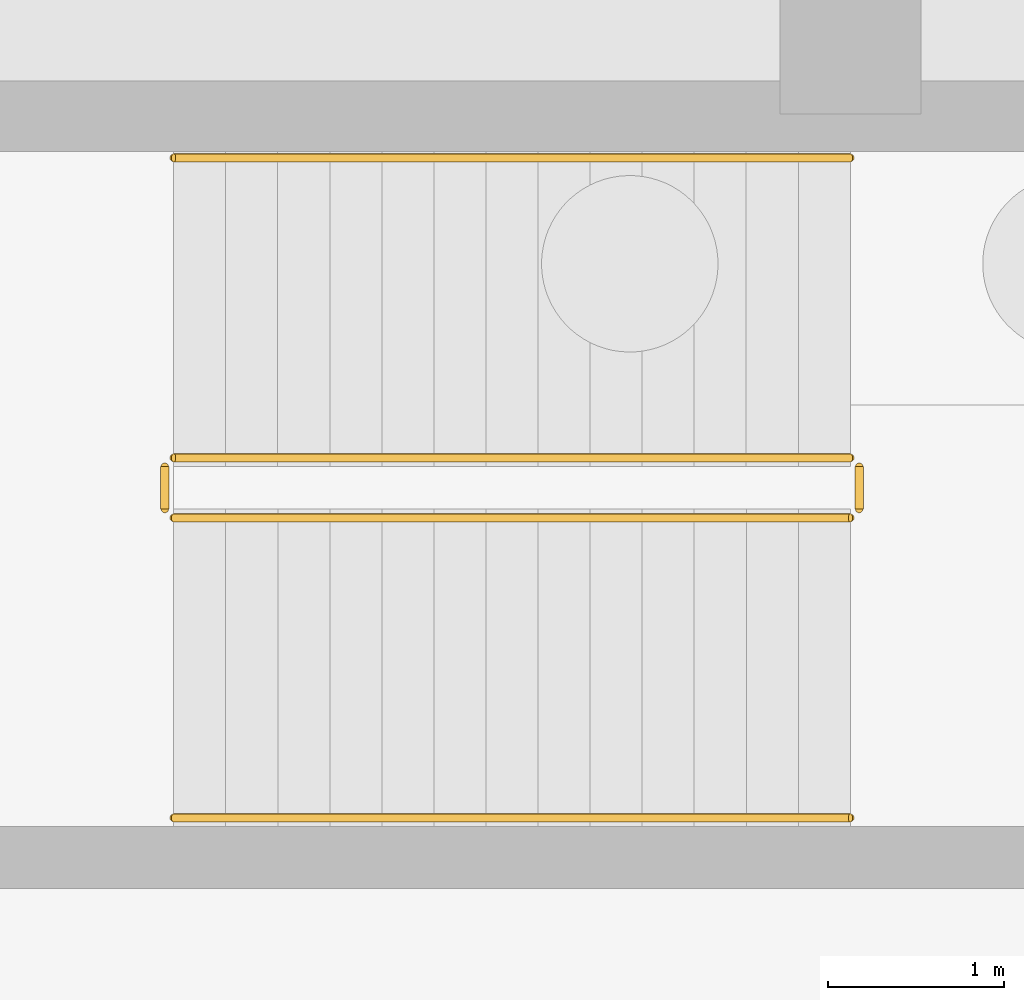
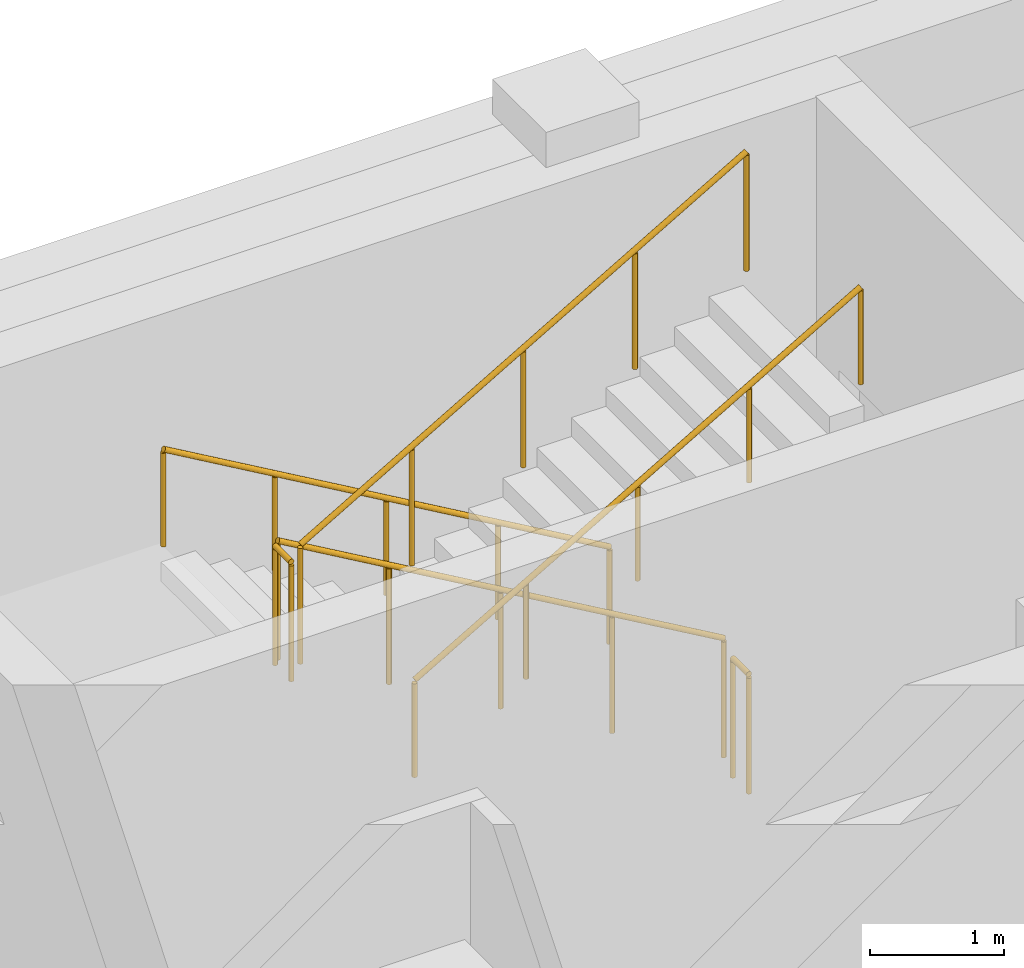
# One storey, part 30 of 35: 6 railings.
"""IFC4 building model written with IfcOpenShell, lengths in metres."""

from ifc_helpers import new_model, si_unit, direction, frame, origin, origin_2d, place, context, subcontext, project, spatial, circle, extrude, material, type_object, element, save


model = new_model("IFC4")

# Units and contexts
model_context = context("Model", 3, precision=1e-05, world=origin(), true_north=direction((0.0, 1.0)))
body_context = subcontext(model_context, "Body", "Model", "MODEL_VIEW")
ifc_project = project(units=[si_unit("LENGTHUNIT", "METRE"), si_unit("AREAUNIT", "SQUARE_METRE"), si_unit("VOLUMEUNIT", "CUBIC_METRE"), si_unit("PLANEANGLEUNIT", "RADIAN"), si_unit("MASSUNIT", "GRAM", prefix="KILO")], contexts=[model_context])

# Site, building, storey
site_placement = place(None, origin())
site = spatial("IfcSite", under=ifc_project, at=site_placement, CompositionType="ELEMENT")
building_placement = place(site_placement, origin())
building = spatial("IfcBuilding", under=site, at=building_placement, Name="Zayran Congress Hotel", CompositionType="ELEMENT")
storey_placement = place(building_placement, frame((0.0, 0.0, -4.800048828125)))
storey = spatial("IfcBuildingStorey", under=building, at=storey_placement, Name="B1", CompositionType="ELEMENT", Elevation=-4.800048828125)

# Railings
ifc_material_1 = material(Name="Painted steel balustrade", Category="steel")
railing_type_1 = type_object("IfcRailingType", Name="TP-GRD-INT", PredefinedType="GUARDRAIL", material=ifc_material_1)
railing_1_placement = place(storey_placement, frame((16.800048828125, 115.050048828125, 0.17138671875)))
element("IfcRailing", 1, at=railing_1_placement, inside=storey, type_object=railing_type_1, Name="B1 ST-03 stair guard 1", PredefinedType="GUARDRAIL", context=body_context, shape_type="SweptSolid", body=[
    extrude(circle(Radius=0.02392578125, at=origin_2d()), frame((0.0, 0.0, 1.076171875), z_axis=(-0.864592272851, 0.0, 0.502474080651), x_axis=(0.0, -1.0, 0.0)), (0.0, 0.0, 1.0), 4.435546875),
    extrude(circle(Radius=0.02099609375, at=origin_2d()), origin(), (0.0, 0.0, 1.0), 1.052001953125),
    extrude(circle(Radius=0.02099609375, at=origin_2d()), frame((-0.958740234375, 0.0, 0.55712890625)), (0.0, 0.0, 1.0), 1.052001953125),
    extrude(circle(Radius=0.02099609375, at=origin_2d()), frame((-1.91748046875, 0.0, 1.1142578125)), (0.0, 0.0, 1.0), 1.052001953125),
    extrude(circle(Radius=0.02099609375, at=origin_2d()), frame((-2.876220703125, 0.0, 1.671630859375)), (0.0, 0.0, 1.0), 1.052001953125),
    extrude(circle(Radius=0.02099609375, at=origin_2d()), frame((-3.8349609375, 0.0, 2.228759765625)), (0.0, 0.0, 1.0), 1.052001953125),
])
railing_2_placement = place(storey_placement, frame((12.9150390625, 115.0, 2.400146484375)))
element("IfcRailing", 2, at=railing_2_placement, inside=storey, type_object=railing_type_1, Name="B1 ST-03 stair guard 2", PredefinedType="GUARDRAIL", context=body_context, shape_type="SweptSolid", body=[
    extrude(circle(Radius=0.02392578125, at=origin_2d()), frame((0.0, 0.0, 1.076171875), z_axis=(0.0, -1.0, 0.0), x_axis=(1.0, 0.0, 0.0)), (0.0, 0.0, 1.0), 0.239990234375),
    extrude(circle(Radius=0.02099609375, at=origin_2d()), origin(), (0.0, 0.0, 1.0), 1.052001953125),
    extrude(circle(Radius=0.02099609375, at=origin_2d()), frame((0.0, -0.239990234375, 0.0)), (0.0, 0.0, 1.0), 1.052001953125),
])
railing_3_placement = place(storey_placement, frame((12.965087890625, 114.7099609375, 2.571533203125)))
element("IfcRailing", 3, at=railing_3_placement, inside=storey, type_object=railing_type_1, Name="B1 ST-03 stair guard 3", PredefinedType="GUARDRAIL", context=body_context, shape_type="SweptSolid", body=[
    extrude(circle(Radius=0.02392578125, at=origin_2d()), frame((0.0, 0.0, 1.076171875), z_axis=(0.86461618451, 0.0, 0.502432934314), x_axis=(0.0, 1.0, 0.0)), (0.0, 0.0, 1.0), 4.435546875),
    extrude(circle(Radius=0.02099609375, at=origin_2d()), origin(), (0.0, 0.0, 1.0), 1.052001953125),
    extrude(circle(Radius=0.02099609375, at=origin_2d()), frame((0.958740234375, 0.0, 0.55712890625)), (0.0, 0.0, 1.0), 1.052001953125),
    extrude(circle(Radius=0.02099609375, at=origin_2d()), frame((1.91748046875, 0.0, 1.1142578125)), (0.0, 0.0, 1.0), 1.052001953125),
    extrude(circle(Radius=0.02099609375, at=origin_2d()), frame((2.876220703125, 0.0, 1.67138671875)), (0.0, 0.0, 1.0), 1.052001953125),
    extrude(circle(Radius=0.02099609375, at=origin_2d()), frame((3.8349609375, 0.0, 2.228515625)), (0.0, 0.0, 1.0), 1.052001953125),
])
railing_4_placement = place(storey_placement, frame((16.85009765625, 115.0, 0.0)))
element("IfcRailing", 4, at=railing_4_placement, inside=storey, type_object=railing_type_1, Name="B1 ST-03 stair guard 4", PredefinedType="GUARDRAIL", context=body_context, shape_type="SweptSolid", body=[
    extrude(circle(Radius=0.02392578125, at=origin_2d()), frame((0.0, 0.0, 1.076171875), z_axis=(0.0, -1.0, 0.0), x_axis=(1.0, 0.0, 0.0)), (0.0, 0.0, 1.0), 0.239990234375),
    extrude(circle(Radius=0.02099609375, at=origin_2d()), origin(), (0.0, 0.0, 1.0), 1.052001953125),
    extrude(circle(Radius=0.02099609375, at=origin_2d()), frame((0.0, -0.239990234375, 0.0)), (0.0, 0.0, 1.0), 1.052001953125),
])
ifc_material_2 = material(Name="Brushed stainless steel handrail", Category="steel")
railing_type_2 = type_object("IfcRailingType", Name="TP-HND-STR", PredefinedType="HANDRAIL", material=ifc_material_2)
railing_5_placement = place(storey_placement, frame((16.800048828125, 116.75, 0.17138671875)))
element("IfcRailing", 5, at=railing_5_placement, inside=storey, type_object=railing_type_2, Name="B1 ST-03 stair handrail 1", PredefinedType="HANDRAIL", context=body_context, shape_type="SweptSolid", body=[
    extrude(circle(Radius=0.02392578125, at=origin_2d()), frame((0.0, 0.0, 0.8759765625), z_axis=(-0.864592272851, 0.0, 0.502474080651), x_axis=(0.0, -1.0, 0.0)), (0.0, 0.0, 1.0), 4.435546875),
    extrude(circle(Radius=0.02099609375, at=origin_2d()), origin(), (0.0, 0.0, 1.0), 0.851806640625),
    extrude(circle(Radius=0.02099609375, at=origin_2d()), frame((-0.958740234375, 0.0, 0.55712890625)), (0.0, 0.0, 1.0), 0.851806640625),
    extrude(circle(Radius=0.02099609375, at=origin_2d()), frame((-1.91748046875, 0.0, 1.1142578125)), (0.0, 0.0, 1.0), 0.851806640625),
    extrude(circle(Radius=0.02099609375, at=origin_2d()), frame((-2.876220703125, 0.0, 1.671630859375)), (0.0, 0.0, 1.0), 0.851806640625),
    extrude(circle(Radius=0.02099609375, at=origin_2d()), frame((-3.8349609375, 0.0, 2.228759765625)), (0.0, 0.0, 1.0), 0.851806640625),
])
railing_6_placement = place(storey_placement, frame((12.965087890625, 113.010009765625, 2.571533203125)))
element("IfcRailing", 6, at=railing_6_placement, inside=storey, type_object=railing_type_2, Name="B1 ST-03 stair handrail 2", PredefinedType="HANDRAIL", context=body_context, shape_type="SweptSolid", body=[
    extrude(circle(Radius=0.02392578125, at=origin_2d()), frame((0.0, 0.0, 0.8759765625), z_axis=(0.86461618451, 0.0, 0.502432934314), x_axis=(0.0, 1.0, 0.0)), (0.0, 0.0, 1.0), 4.435546875),
    extrude(circle(Radius=0.02099609375, at=origin_2d()), origin(), (0.0, 0.0, 1.0), 0.851806640625),
    extrude(circle(Radius=0.02099609375, at=origin_2d()), frame((0.958740234375, 0.0, 0.55712890625)), (0.0, 0.0, 1.0), 0.851806640625),
    extrude(circle(Radius=0.02099609375, at=origin_2d()), frame((1.91748046875, 0.0, 1.1142578125)), (0.0, 0.0, 1.0), 0.851806640625),
    extrude(circle(Radius=0.02099609375, at=origin_2d()), frame((2.876220703125, 0.0, 1.67138671875)), (0.0, 0.0, 1.0), 0.851806640625),
    extrude(circle(Radius=0.02099609375, at=origin_2d()), frame((3.8349609375, 0.0, 2.228515625)), (0.0, 0.0, 1.0), 0.851806640625),
])

save(model, "model.ifc")
